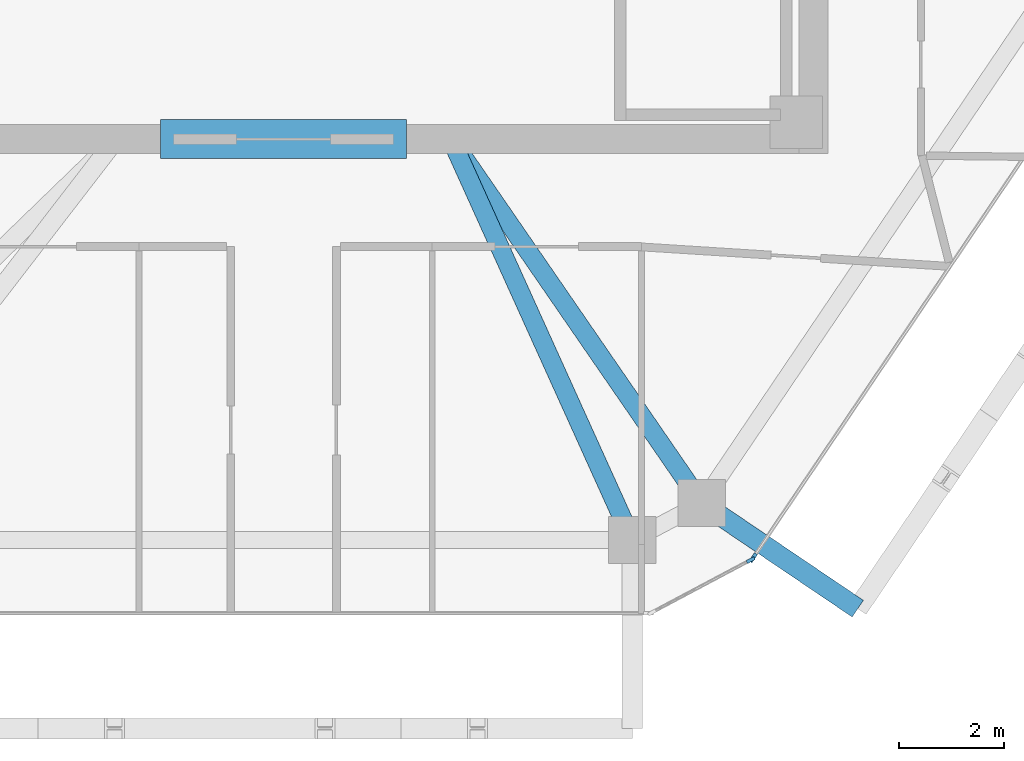
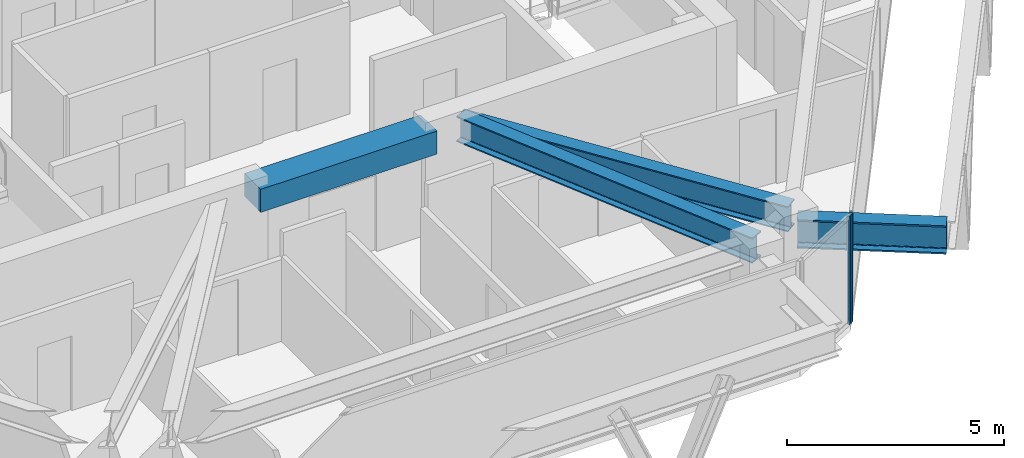
# One storey, part 3 of 11: 4 beams, 2 members, 2 elements without a shape of their own.
"""IFC4 building model written with IfcOpenShell, lengths in metres."""

from ifc_helpers import new_model, si_unit, direction, frame, origin, origin_2d, place, context, subcontext, project, spatial, rectangle, i_section, extrude, source, transform, mapped, material, layer, layer_set, material_profile, profile_set, type_object, type_shapes, element, aggregate, save


model = new_model("IFC4")

# Units and contexts
model_context = context("Model", 3, precision=1e-05, world=origin(), true_north=direction((0.0, 1.0)))
body_context = subcontext(model_context, "Body", "Model", "MODEL_VIEW")
ifc_project = project(units=[si_unit("LENGTHUNIT", "METRE"), si_unit("AREAUNIT", "SQUARE_METRE"), si_unit("VOLUMEUNIT", "CUBIC_METRE"), si_unit("PLANEANGLEUNIT", "RADIAN"), si_unit("MASSUNIT", "GRAM", prefix="KILO")], contexts=[model_context])

# Site, building, storey
site_placement = place(None, origin())
site = spatial("IfcSite", under=ifc_project, at=site_placement, CompositionType="ELEMENT")
building_placement = place(site_placement, origin())
building = spatial("IfcBuilding", under=site, at=building_placement, Name="Durnholm Broadcast Tower", CompositionType="ELEMENT")
storey_placement = place(building_placement, frame((0.0, 0.0, 244.699951171875)))
storey = spatial("IfcBuildingStorey", under=building, at=storey_placement, Name="L68", CompositionType="ELEMENT", Elevation=244.699951171875)

# Beams
ifc_material_1 = material(Name="Concrete C70/85", Category="concrete")
ifc_material_profile_1 = material_profile(ifc_material_1, rectangle(XDim=0.75, YDim=0.64990234375, at=origin_2d()), Name="RC750X650")
ifc_profile_set_1 = profile_set([ifc_material_profile_1], Name="Concrete C70/85")
beam_type_1 = type_object("IfcBeamType", Name="BM-CB-RC650", PredefinedType="LINTEL", material=ifc_profile_set_1)
shared_shape_1 = source(origin(), body_context, "Body", "SweptSolid", [
    extrude(rectangle(XDim=0.75, YDim=0.64990234375, at=origin_2d()), origin(), (0.0, 0.0, 1.0), 4.7001953125),
])
type_shapes(beam_type_1, [shared_shape_1])
beam_1_placement = place(storey_placement, frame((-2.35009765625, -8.125, 2.72998046875), z_axis=(1.0, 0.0, 0.0), x_axis=(0.0, 1.0, 0.0)))
element("IfcBeam", 1, at=beam_1_placement, inside=storey, type_object=beam_type_1, Name="L68 south core coupling lintel beam CB-S", PredefinedType="LINTEL", context=body_context, shape_type="MappedRepresentation", body=[
    mapped(shared_shape_1, transform((0.0, 0.0, 0.0), x_axis=(1.0, 0.0, 0.0), y_axis=(0.0, 1.0, 0.0), z_axis=(0.0, 0.0, 1.0), scale=1.0)),
])
ifc_material_2 = material(Name="Steel ASTM A992 Grade 50", Category="steel")
ifc_material_profile_2 = material_profile(ifc_material_2, i_section(OverallWidth=0.385009765625, OverallDepth=0.802978515625, WebThickness=0.023681640625, FlangeThickness=0.0419921875, FilletRadius=0.032958984375, at=origin_2d()), Name="W30X261")
ifc_profile_set_2 = profile_set([ifc_material_profile_2], Name="Steel ASTM A992 Grade 50")
beam_type_2 = type_object("IfcBeamType", Name="BM-EXO-TIE", PredefinedType="USERDEFINED", material=ifc_profile_set_2)
shared_shape_2 = source(origin(), body_context, "Body", "SweptSolid", [
    extrude(i_section(OverallWidth=0.385009765625, OverallDepth=0.802978515625, WebThickness=0.023681640625, FlangeThickness=0.0419921875, FilletRadius=0.032958984375, at=origin_2d()), origin(), (0.0, 0.0, 1.0), 3.4560546875),
])
type_shapes(beam_type_2, [shared_shape_2])
beam_2_placement = place(storey_placement, frame((8.110107421875, -15.161865234375, 2.30859375), z_axis=(0.828468499792, -0.560035663911, 0.0), x_axis=(0.560035663911, 0.828468499792, 0.0)))
element("IfcBeam", 2, at=beam_2_placement, inside=storey, type_object=beam_type_2, Name="L68 exoskeleton stand-off tie bracket F2.1", ObjectType="GIRDER", PredefinedType="USERDEFINED", context=body_context, shape_type="MappedRepresentation", body=[
    mapped(shared_shape_2, transform((0.0, 0.0, 0.0), x_axis=(1.0, 0.0, 0.0), y_axis=(0.0, 1.0, 0.0), z_axis=(0.0, 0.0, 1.0), scale=1.0)),
])
ifc_material_profile_3 = material_profile(ifc_material_2, i_section(OverallWidth=0.3564453125, OverallDepth=0.713623046875, WebThickness=0.01904296875, FlangeThickness=0.033935546875, FilletRadius=0.030517578125, at=origin_2d()), Name="W27X194")
ifc_profile_set_3 = profile_set([ifc_material_profile_3], Name="Steel ASTM A992 Grade 50")
beam_type_3 = type_object("IfcBeamType", Name="STL-GR-W27X194", PredefinedType="USERDEFINED", material=ifc_profile_set_3)
shared_shape_3 = source(origin(), body_context, "Body", "SweptSolid", [
    extrude(i_section(OverallWidth=0.3564453125, OverallDepth=0.713623046875, WebThickness=0.01904296875, FlangeThickness=0.033935546875, FilletRadius=0.030517578125, at=origin_2d()), origin(), (0.0, 0.0, 1.0), 8.446533203125),
])
beam_3_placement = place(storey_placement, frame((3.199951171875, -8.125, 2.688232421875), z_axis=(0.567216806915, -0.823568511997, 0.0), x_axis=(0.823568511997, 0.567216806915, 0.0)))
element("IfcBeam", 3, at=beam_3_placement, inside=storey, type_object=beam_type_3, Name="L68 radial primary floor girder 10", ObjectType="GIRDER", PredefinedType="USERDEFINED", context=body_context, shape_type="MappedRepresentation", body=[
    mapped(shared_shape_3, transform((0.0, 0.0, 0.0), x_axis=(1.0, 0.0, 0.0), y_axis=(0.0, 1.0, 0.0), z_axis=(0.0, 0.0, 1.0), scale=1.0)),
])
shared_shape_4 = source(origin(), body_context, "Body", "SweptSolid", [
    extrude(i_section(OverallWidth=0.3564453125, OverallDepth=0.713623046875, WebThickness=0.01904296875, FlangeThickness=0.033935546875, FilletRadius=0.030517578125, at=origin_2d()), origin(), (0.0, 0.0, 1.0), 8.407470703125),
])
type_shapes(beam_type_3, [shared_shape_3, shared_shape_4])
beam_4_placement = place(storey_placement, frame((3.199951171875, -8.125, 2.688232421875), z_axis=(0.411992813642, -0.911187094678, 0.0), x_axis=(0.911187094678, 0.411992813642, 0.0)))
element("IfcBeam", 4, at=beam_4_placement, inside=storey, type_object=beam_type_3, Name="L68 radial primary floor girder 11", ObjectType="GIRDER", PredefinedType="USERDEFINED", context=body_context, shape_type="MappedRepresentation", body=[
    mapped(shared_shape_4, transform((0.0, 0.0, 0.0), x_axis=(1.0, 0.0, 0.0), y_axis=(0.0, 1.0, 0.0), z_axis=(0.0, 0.0, 1.0), scale=1.0)),
])

# Curtain wall, member
ifc_material_3 = material(Name="Aluminium and Solar Control IGU", Category="aluminium")
ifc_layer_1 = layer(ifc_material_3, 0.1650390625)
ifc_layer_set_1 = layer_set([ifc_layer_1], Name="Aluminium and Solar Control IGU")
curtain_wall_type_1 = type_object("IfcCurtainWallType", Name="CW-SYS-5", PredefinedType="NOTDEFINED", material=ifc_layer_set_1)
curtain_wall_1_placement = place(storey_placement, origin())
curtain_wall_1 = element("IfcCurtainWall", 5, at=curtain_wall_1_placement, inside=storey, type_object=curtain_wall_type_1, Name="L68 curtain wall CW-CORNER CW-L68-CRN-09", PredefinedType="NOTDEFINED")
ifc_material_4 = material(Name="Aluminium 6063-T6", Category="aluminium")
ifc_material_profile_4 = material_profile(ifc_material_4, rectangle(XDim=0.06494140625, YDim=0.1650390625, at=origin_2d()), Name="CWM65X165")
ifc_profile_set_4 = profile_set([ifc_material_profile_4], Name="Aluminium 6063-T6")
member_type_1 = type_object("IfcMemberType", Name="CW-SYS-5-MUL", PredefinedType="MULLION", material=ifc_profile_set_4)
shared_shape_5 = source(origin(), body_context, "Body", "SweptSolid", [
    extrude(rectangle(XDim=0.06494140625, YDim=0.1650390625, at=origin_2d()), origin(), (0.0, 0.0, 1.0), 3.06005859375),
])
type_shapes(member_type_1, [shared_shape_5])
member_1_placement = place(storey_placement, frame((8.9267578125, -16.16943359375, 0.0), z_axis=(0.0, 0.0, 1.0), x_axis=(0.469006771575, -0.883194569853, 0.0)))
member_1 = element("IfcMember", 6, at=member_1_placement, type_object=member_type_1, Name="CW-CORNER mullion 1", PredefinedType="MULLION", context=body_context, shape_type="MappedRepresentation", body=[
    mapped(shared_shape_5, transform((0.0, 0.0, 0.0), x_axis=(1.0, 0.0, 0.0), y_axis=(0.0, 1.0, 0.0), z_axis=(0.0, 0.0, 1.0), scale=1.0)),
])
aggregate(curtain_wall_1, [member_1])

ifc_layer_2 = layer(ifc_material_3, 0.18994140625)
ifc_layer_set_2 = layer_set([ifc_layer_2], Name="Aluminium and Solar Control IGU")
curtain_wall_type_2 = type_object("IfcCurtainWallType", Name="CW-SYS-4", PredefinedType="NOTDEFINED", material=ifc_layer_set_2)
curtain_wall_2_placement = place(storey_placement, origin())
curtain_wall_2 = element("IfcCurtainWall", 7, at=curtain_wall_2_placement, inside=storey, type_object=curtain_wall_type_2, Name="L68 curtain wall CW-Z34-VIS CW-L68-F08", PredefinedType="NOTDEFINED")
ifc_material_profile_5 = material_profile(ifc_material_4, rectangle(XDim=0.070068359375, YDim=0.18994140625, at=origin_2d()), Name="CWM70X190")
ifc_profile_set_5 = profile_set([ifc_material_profile_5], Name="Aluminium 6063-T6")
member_type_2 = type_object("IfcMemberType", Name="CW-SYS-4-MUL", PredefinedType="MULLION", material=ifc_profile_set_5)
shared_shape_6 = source(origin(), body_context, "Body", "SweptSolid", [
    extrude(rectangle(XDim=0.070068359375, YDim=0.18994140625, at=origin_2d()), origin(), (0.0, 0.0, 1.0), 3.06005859375),
])
type_shapes(member_type_2, [shared_shape_6])
member_2_placement = place(storey_placement, frame((8.97509765625, -16.125244140625, 0.0), z_axis=(0.0, 0.0, 1.0), x_axis=(0.828443431662, -0.560072745753, 0.0)))
member_2 = element("IfcMember", 8, at=member_2_placement, type_object=member_type_2, Name="CW-Z34-VIS mullion 2", PredefinedType="MULLION", context=body_context, shape_type="MappedRepresentation", body=[
    mapped(shared_shape_6, transform((0.0, 0.0, 0.0), x_axis=(1.0, 0.0, 0.0), y_axis=(0.0, 1.0, 0.0), z_axis=(0.0, 0.0, 1.0), scale=1.0)),
])
aggregate(curtain_wall_2, [member_2])

save(model, "model.ifc")
